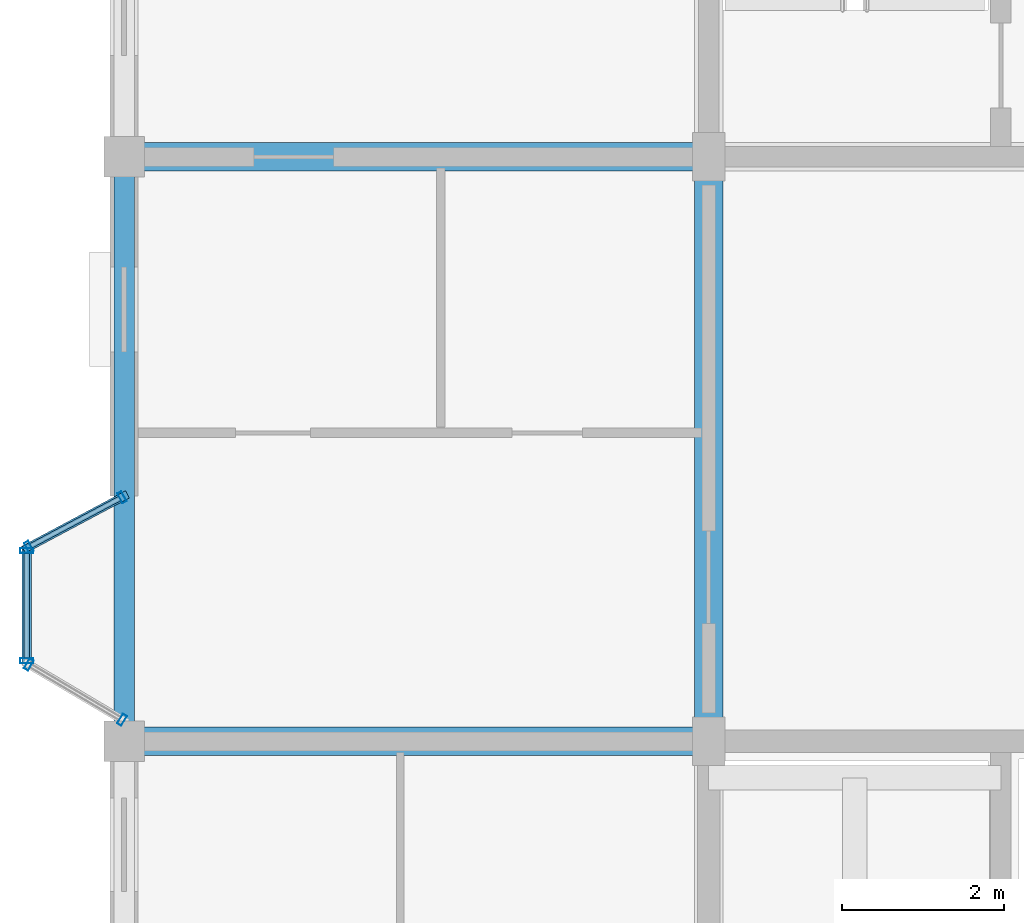
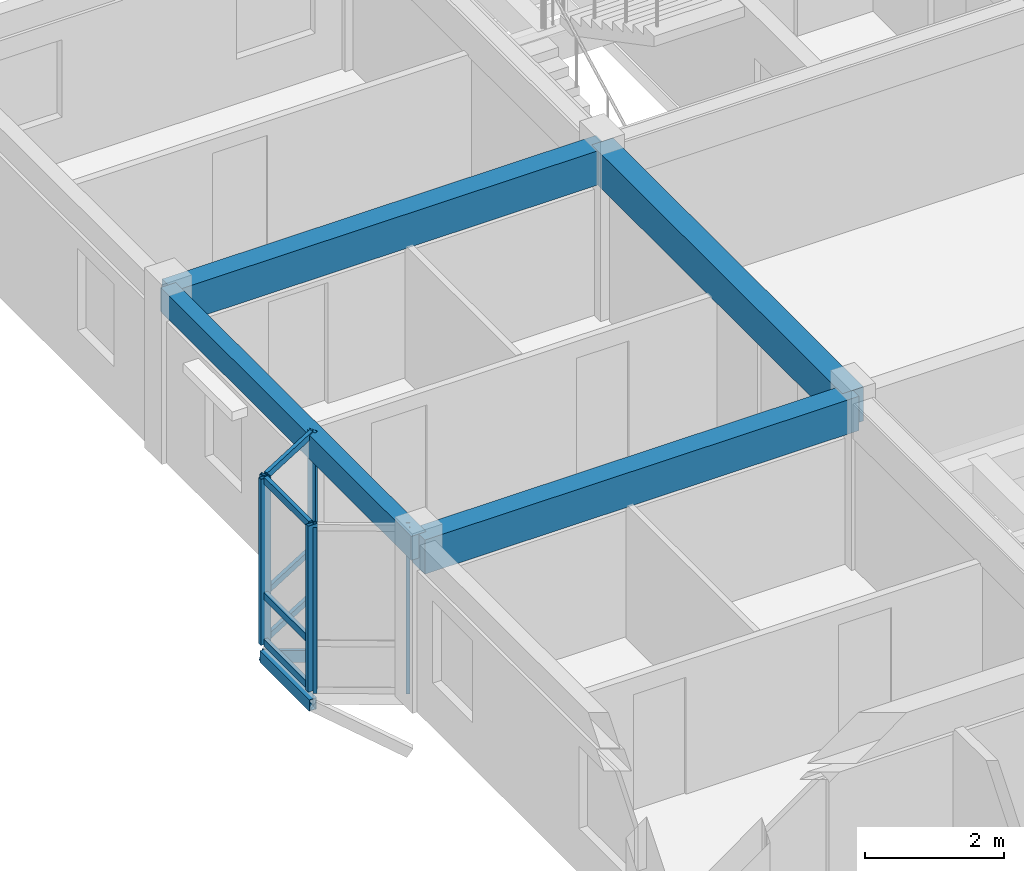
# One storey, part 18 of 70: 14 members, 4 beams, 3 elements without a shape of their own.
"""IFC4 building model written with IfcOpenShell, lengths in metres."""

from ifc_helpers import new_model, si_unit, direction, frame, origin, origin_2d, place, context, subcontext, project, spatial, rectangle, hollow_rectangle, extrude, material, layer, layer_set, material_profile, profile_set, type_object, element, aggregate, save


model = new_model("IFC4")

# Units and contexts
model_context = context("Model", 3, precision=1e-05, world=origin(), true_north=direction((0.0, 1.0)))
body_context = subcontext(model_context, "Body", "Model", "MODEL_VIEW")
ifc_project = project(units=[si_unit("LENGTHUNIT", "METRE"), si_unit("AREAUNIT", "SQUARE_METRE"), si_unit("VOLUMEUNIT", "CUBIC_METRE"), si_unit("PLANEANGLEUNIT", "RADIAN"), si_unit("MASSUNIT", "GRAM", prefix="KILO"), si_unit("THERMODYNAMICTEMPERATUREUNIT", "KELVIN"), si_unit("POWERUNIT", "WATT")], contexts=[model_context])

# Site, building, storey
site_placement = place(None, origin())
site = spatial("IfcSite", under=ifc_project, at=site_placement, CompositionType="ELEMENT")
building_placement = place(site_placement, origin())
building = spatial("IfcBuilding", under=site, at=building_placement, Name="Tavuni Mirador Residences", CompositionType="ELEMENT")
storey_placement = place(building_placement, frame((0.0, 0.0, 23.39990234375)))
storey = spatial("IfcBuildingStorey", under=building, at=storey_placement, Name="L07", CompositionType="ELEMENT", Elevation=23.39990234375)

# Beams
ifc_material_1 = material(Name="Precast concrete C40/50", Category="concrete")
ifc_material_profile_1 = material_profile(ifc_material_1, rectangle(XDim=0.35009765625, YDim=0.60009765625, at=origin_2d()), Name="PC 350x600", Category="concrete")
ifc_profile_set_1 = profile_set([ifc_material_profile_1], Name="Precast concrete C40/50")
beam_type_1 = type_object("IfcBeamType", Name="BT-B600", PredefinedType="BEAM", material=ifc_profile_set_1)
for number, where, z_axis, x_axis, name in (
    (1, (3.60009765625, 79.199951171875, 2.610107421875), (1.0, 0.0, 0.0), (0.0, 1.0, 0.0), "BMX-BLK-B-L07-00-02"),
    (2, (3.60009765625, 86.39990234375, 2.610107421875), (1.0, 0.0, 0.0), (0.0, 1.0, 0.0), "BMX-BLK-B-L07-00-03"),
    (3, (10.800048828125, 79.199951171875, 2.610107421875), (0.0, 1.0, 0.0), (-1.0, 0.0, 0.0), "BMY-BLK-B-L07-01-02"),
):
    element("IfcBeam", number, at=place(storey_placement, frame(where, z_axis=z_axis, x_axis=x_axis)), inside=storey, type_object=beam_type_1, Name=name, PredefinedType="BEAM", context=body_context, shape_type="SweptSolid", body=[
        extrude(rectangle(XDim=0.35009765625, YDim=0.60009765625, at=origin_2d()), origin(), (0.0, 0.0, 1.0), 7.199951171875),
    ])
ifc_material_profile_2 = material_profile(ifc_material_1, rectangle(XDim=0.25, YDim=0.419921875, at=origin_2d()), Name="PC 250x420", Category="concrete")
ifc_profile_set_2 = profile_set([ifc_material_profile_2], Name="Precast concrete C40/50")
beam_type_2 = type_object("IfcBeamType", Name="BT-SP420", PredefinedType="SPANDREL", material=ifc_profile_set_2)
beam_placement = place(storey_placement, frame((3.60009765625, 79.199951171875, 2.7001953125), z_axis=(0.0, 1.0, 0.0), x_axis=(-1.0, 0.0, 0.0)))
element("IfcBeam", 4, at=beam_placement, inside=storey, type_object=beam_type_2, Name="BMY-BLK-B-L07-00-02", PredefinedType="SPANDREL", context=body_context, shape_type="SweptSolid", body=[
    extrude(rectangle(XDim=0.25, YDim=0.419921875, at=origin_2d()), origin(), (0.0, 0.0, 1.0), 7.199951171875),
])

# Curtain wall, members
ifc_material_2 = material(Name="Anodised aluminium", Category="aluminium")
ifc_layer_1 = layer(ifc_material_2, 0.175048828125, Name="Anodised aluminium", Category="aluminium")
ifc_layer_set_1 = layer_set([ifc_layer_1], Name="Anodised aluminium")
curtain_wall_type_1 = type_object("IfcCurtainWallType", Name="CWT-MIR-C", PredefinedType="NOTDEFINED", material=ifc_layer_set_1)
curtain_wall_1_placement = place(storey_placement, origin())
curtain_wall_1 = element("IfcCurtainWall", 5, at=curtain_wall_1_placement, inside=storey, type_object=curtain_wall_type_1, Name="CW-MIR-B-W2-L07-M1", PredefinedType="NOTDEFINED")
ifc_material_profile_3 = material_profile(ifc_material_2, hollow_rectangle(XDim=0.06005859375, YDim=0.139892578125, WallThickness=0.00390625, at=origin_2d()), Name="ALU 60x140x4.0", Category="aluminium")
ifc_profile_set_3 = profile_set([ifc_material_profile_3], Name="Anodised aluminium")
member_type_1 = type_object("IfcMemberType", Name="CWM-140", PredefinedType="MULLION", material=ifc_profile_set_3)
member_1_placement = place(storey_placement, frame((3.573486328125, 82.205810546875, 0.0), z_axis=(0.0, 0.0, 1.0), x_axis=(-0.882352941175, -0.470588235296, 0.0)))
member_1 = element("IfcMember", 6, at=member_1_placement, type_object=member_type_1, Name="CW-03 mullion 1", PredefinedType="MULLION", context=body_context, shape_type="SweptSolid", body=[
    extrude(hollow_rectangle(XDim=0.06005859375, YDim=0.139892578125, WallThickness=0.00390625, at=origin_2d()), origin(), (0.0, 0.0, 1.0), 2.91015625),
])
member_2_placement = place(storey_placement, frame((2.426513671875, 81.59423828125, 0.0), z_axis=(0.0, 0.0, 1.0), x_axis=(-0.882352941175, -0.470588235296, 0.0)))
member_2 = element("IfcMember", 7, at=member_2_placement, type_object=member_type_1, Name="CW-03 mullion 2", PredefinedType="MULLION", context=body_context, shape_type="SweptSolid", body=[
    extrude(hollow_rectangle(XDim=0.06005859375, YDim=0.139892578125, WallThickness=0.00390625, at=origin_2d()), origin(), (0.0, 0.0, 1.0), 2.91015625),
])

ifc_layer_2 = layer(ifc_material_2, 0.1650390625, Name="Anodised aluminium", Category="aluminium")
ifc_layer_set_2 = layer_set([ifc_layer_2], Name="Anodised aluminium")
curtain_wall_type_2 = type_object("IfcCurtainWallType", Name="CWT-MIR-A", PredefinedType="NOTDEFINED", material=ifc_layer_set_2)
curtain_wall_2_placement = place(storey_placement, origin())
curtain_wall_2 = element("IfcCurtainWall", 8, at=curtain_wall_2_placement, inside=storey, type_object=curtain_wall_type_2, Name="CW-MIR-B-W2-L07-M2", PredefinedType="NOTDEFINED")
member_3_placement = place(storey_placement, frame((2.42578125, 80.144775390625, 0.0), z_axis=(0.0, 0.0, 1.0), x_axis=(0.860640830284, -0.509212491254, 0.0)))
member_3 = element("IfcMember", 9, at=member_3_placement, type_object=member_type_1, Name="CW-01 mullion 1", PredefinedType="MULLION", context=body_context, shape_type="SweptSolid", body=[
    extrude(hollow_rectangle(XDim=0.06005859375, YDim=0.139892578125, WallThickness=0.00390625, at=origin_2d()), origin(), (0.0, 0.0, 1.0), 2.91015625),
])
member_4_placement = place(storey_placement, frame((3.57421875, 79.46533203125, 0.0), z_axis=(0.0, 0.0, 1.0), x_axis=(0.860640830284, -0.509212491254, 0.0)))
member_4 = element("IfcMember", 10, at=member_4_placement, type_object=member_type_1, Name="CW-01 mullion 2", PredefinedType="MULLION", context=body_context, shape_type="SweptSolid", body=[
    extrude(hollow_rectangle(XDim=0.06005859375, YDim=0.139892578125, WallThickness=0.00390625, at=origin_2d()), origin(), (0.0, 0.0, 1.0), 2.91015625),
])
aggregate(curtain_wall_2, [member_3, member_4])

ifc_layer_3 = layer(ifc_material_2, 0.159912109375, Name="Anodised aluminium", Category="aluminium")
ifc_layer_set_3 = layer_set([ifc_layer_3], Name="Anodised aluminium")
curtain_wall_type_3 = type_object("IfcCurtainWallType", Name="CWT-MIR-D", PredefinedType="NOTDEFINED", material=ifc_layer_set_3)
curtain_wall_3_placement = place(storey_placement, origin())
curtain_wall_3 = element("IfcCurtainWall", 11, at=curtain_wall_3_placement, inside=storey, type_object=curtain_wall_type_3, Name="CW-MIR-B-W2-L07-MF", PredefinedType="NOTDEFINED")
ifc_material_profile_4 = material_profile(ifc_material_2, hollow_rectangle(XDim=0.06494140625, YDim=0.1650390625, WallThickness=0.00439453125, at=origin_2d()), Name="ALU 65x165x4.5", Category="aluminium")
ifc_profile_set_4 = profile_set([ifc_material_profile_4], Name="Anodised aluminium")
member_type_2 = type_object("IfcMemberType", Name="CWM-165", PredefinedType="MULLION", material=ifc_profile_set_4)
member_5_placement = place(storey_placement, frame((2.39990234375, 81.547607421875, 0.0), z_axis=(0.0, 0.0, 1.0), x_axis=(0.0, -1.0, 0.0)))
member_5 = element("IfcMember", 12, at=member_5_placement, type_object=member_type_2, Name="CW-04 mullion 1", PredefinedType="MULLION", context=body_context, shape_type="SweptSolid", body=[
    extrude(hollow_rectangle(XDim=0.06494140625, YDim=0.1650390625, WallThickness=0.00439453125, at=origin_2d()), origin(), (0.0, 0.0, 1.0), 2.91015625),
])
member_6_placement = place(storey_placement, frame((2.39990234375, 80.1923828125, 0.0), z_axis=(0.0, 0.0, 1.0), x_axis=(0.0, -1.0, 0.0)))
member_6 = element("IfcMember", 13, at=member_6_placement, type_object=member_type_2, Name="CW-04 mullion 2", PredefinedType="MULLION", context=body_context, shape_type="SweptSolid", body=[
    extrude(hollow_rectangle(XDim=0.06494140625, YDim=0.1650390625, WallThickness=0.00439453125, at=origin_2d()), origin(), (0.0, 0.0, 1.0), 2.91015625),
])

# Member
ifc_material_profile_5 = material_profile(ifc_material_2, hollow_rectangle(XDim=0.06005859375, YDim=0.110107421875, WallThickness=0.00390625, at=origin_2d()), Name="ALU 60x110x4.0", Category="aluminium")
ifc_profile_set_5 = profile_set([ifc_material_profile_5], Name="Anodised aluminium")
member_type_3 = type_object("IfcMemberType", Name="CWT-110", PredefinedType="USERDEFINED", material=ifc_profile_set_5)
member_7_placement = place(storey_placement, frame((3.547119140625, 82.191650390625, 0.030029296875), z_axis=(-0.882385637708, -0.470526924168, 0.0), x_axis=(0.470526924168, -0.882385637708, 0.0)))
member_7 = element("IfcMember", 14, at=member_7_placement, type_object=member_type_3, Name="CW-03 transom 1.1", ObjectType="TRANSOM", PredefinedType="USERDEFINED", context=body_context, shape_type="SweptSolid", body=[
    extrude(hollow_rectangle(XDim=0.06005859375, YDim=0.110107421875, WallThickness=0.00390625, at=origin_2d()), origin(), (0.0, 0.0, 1.0), 1.239990234375),
])

member_8_placement = place(storey_placement, frame((3.547119140625, 82.191650390625, 0.85009765625), z_axis=(-0.882385637708, -0.470526924168, 0.0), x_axis=(0.470526924168, -0.882385637708, 0.0)))
member_8 = element("IfcMember", 15, at=member_8_placement, type_object=member_type_3, Name="CW-03 transom 1.2", ObjectType="TRANSOM", PredefinedType="USERDEFINED", context=body_context, shape_type="SweptSolid", body=[
    extrude(hollow_rectangle(XDim=0.06005859375, YDim=0.110107421875, WallThickness=0.00390625, at=origin_2d()), origin(), (0.0, 0.0, 1.0), 1.239990234375),
])

member_9_placement = place(storey_placement, frame((3.547119140625, 82.191650390625, 2.880126953125), z_axis=(-0.882385637708, -0.470526924168, 0.0), x_axis=(0.470526924168, -0.882385637708, 0.0)))
member_9 = element("IfcMember", 16, at=member_9_placement, type_object=member_type_3, Name="CW-03 transom 1.3", ObjectType="TRANSOM", PredefinedType="USERDEFINED", context=body_context, shape_type="SweptSolid", body=[
    extrude(hollow_rectangle(XDim=0.06005859375, YDim=0.110107421875, WallThickness=0.00390625, at=origin_2d()), origin(), (0.0, 0.0, 1.0), 1.239990234375),
])

aggregate(curtain_wall_1, [member_1, member_2, member_7, member_8, member_9])

ifc_material_profile_6 = material_profile(ifc_material_2, hollow_rectangle(XDim=0.06494140625, YDim=0.125, WallThickness=0.00439453125, at=origin_2d()), Name="ALU 65x125x4.5", Category="aluminium")
ifc_profile_set_6 = profile_set([ifc_material_profile_6], Name="Anodised aluminium")
member_type_4 = type_object("IfcMemberType", Name="CWT-125", PredefinedType="USERDEFINED", material=ifc_profile_set_6)
member_10_placement = place(storey_placement, frame((2.39990234375, 81.514892578125, 0.03271484375), z_axis=(0.0, -1.0, 0.0), x_axis=(1.0, 0.0, 0.0)))
member_10 = element("IfcMember", 17, at=member_10_placement, type_object=member_type_4, Name="CW-04 transom 1.1", ObjectType="TRANSOM", PredefinedType="USERDEFINED", context=body_context, shape_type="SweptSolid", body=[
    extrude(hollow_rectangle(XDim=0.06494140625, YDim=0.125, WallThickness=0.00439453125, at=origin_2d()), origin(), (0.0, 0.0, 1.0), 1.289794921875),
])

member_11_placement = place(storey_placement, frame((2.39990234375, 81.514892578125, 0.85009765625), z_axis=(0.0, -1.0, 0.0), x_axis=(1.0, 0.0, 0.0)))
member_11 = element("IfcMember", 18, at=member_11_placement, type_object=member_type_4, Name="CW-04 transom 1.2", ObjectType="TRANSOM", PredefinedType="USERDEFINED", context=body_context, shape_type="SweptSolid", body=[
    extrude(hollow_rectangle(XDim=0.06494140625, YDim=0.125, WallThickness=0.00439453125, at=origin_2d()), origin(), (0.0, 0.0, 1.0), 1.289794921875),
])

member_12_placement = place(storey_placement, frame((2.39990234375, 81.514892578125, 2.877685546875), z_axis=(0.0, -1.0, 0.0), x_axis=(1.0, 0.0, 0.0)))
member_12 = element("IfcMember", 19, at=member_12_placement, type_object=member_type_4, Name="CW-04 transom 1.3", ObjectType="TRANSOM", PredefinedType="USERDEFINED", context=body_context, shape_type="SweptSolid", body=[
    extrude(hollow_rectangle(XDim=0.06494140625, YDim=0.125, WallThickness=0.00439453125, at=origin_2d()), origin(), (0.0, 0.0, 1.0), 1.289794921875),
])

aggregate(curtain_wall_3, [member_5, member_6, member_10, member_11, member_12])

# Members
ifc_material_3 = material(Name="Structural steel S355", Category="steel")
ifc_material_profile_7 = material_profile(ifc_material_3, hollow_rectangle(XDim=0.10009765625, YDim=0.179931640625, WallThickness=0.008056640625, at=origin_2d()), Name="RHS 180x100x8.0", Category="steel")
ifc_profile_set_7 = profile_set([ifc_material_profile_7], Name="Structural steel S355")
member_type_5 = type_object("IfcMemberType", Name="MT-BR-RHS180", PredefinedType="BRACE", material=ifc_profile_set_7)
member_13_placement = place(storey_placement, frame((3.60009765625, 82.219970703125, -1.0498046875), z_axis=(-0.758201649806, -0.404240546001, 0.511585612776), x_axis=(0.470467115558, -0.882417527692, 0.0)))
element("IfcMember", 20, at=member_13_placement, inside=storey, type_object=member_type_5, Name="MBRK-MIR-B-W2-L07-2", PredefinedType="BRACE", context=body_context, shape_type="SweptSolid", body=[
    extrude(hollow_rectangle(XDim=0.10009765625, YDim=0.179931640625, WallThickness=0.008056640625, at=origin_2d()), origin(), (0.0, 0.0, 1.0), 1.5830078125),
])
ifc_material_profile_8 = material_profile(ifc_material_3, hollow_rectangle(XDim=0.1201171875, YDim=0.199951171875, WallThickness=0.010009765625, at=origin_2d()), Name="RHS 200x120x10.0", Category="steel")
ifc_profile_set_8 = profile_set([ifc_material_profile_8], Name="Structural steel S355")
member_type_6 = type_object("IfcMemberType", Name="MT-ST-RHS200", PredefinedType="STRUT", material=ifc_profile_set_8)
member_14_placement = place(storey_placement, frame((2.39990234375, 80.159912109375, -0.239990234375), z_axis=(0.0, 1.0, 0.0), x_axis=(-1.0, 0.0, 0.0)))
element("IfcMember", 21, at=member_14_placement, inside=storey, type_object=member_type_6, Name="MRIM-MIR-B-W2-L07", PredefinedType="STRUT", context=body_context, shape_type="SweptSolid", body=[
    extrude(hollow_rectangle(XDim=0.1201171875, YDim=0.199951171875, WallThickness=0.010009765625, at=origin_2d()), origin(), (0.0, 0.0, 1.0), 1.420166015625),
])

save(model, "model.ifc")
